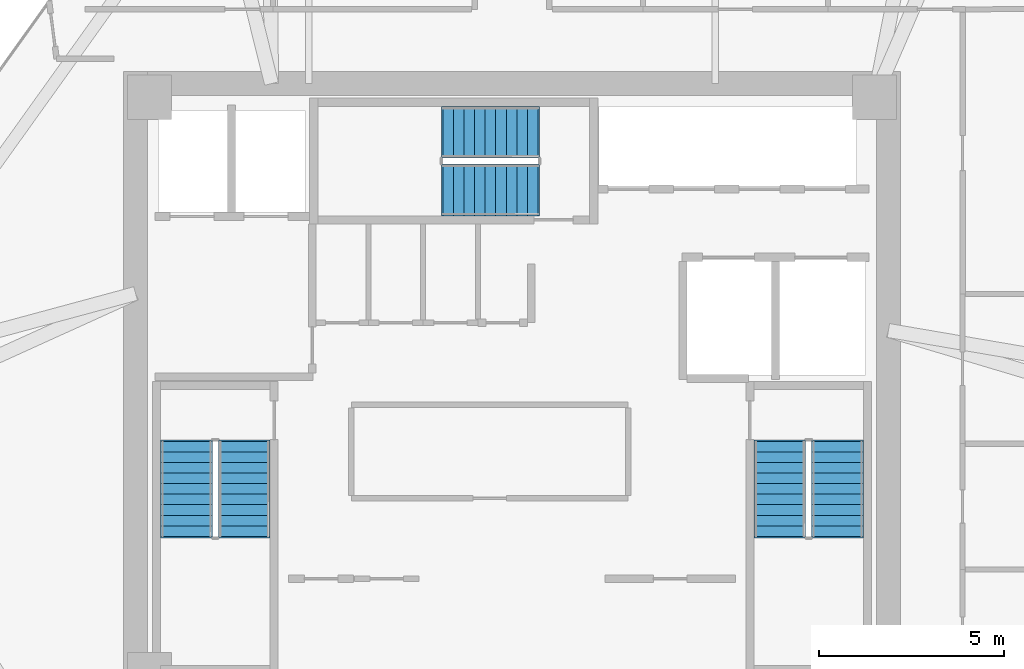
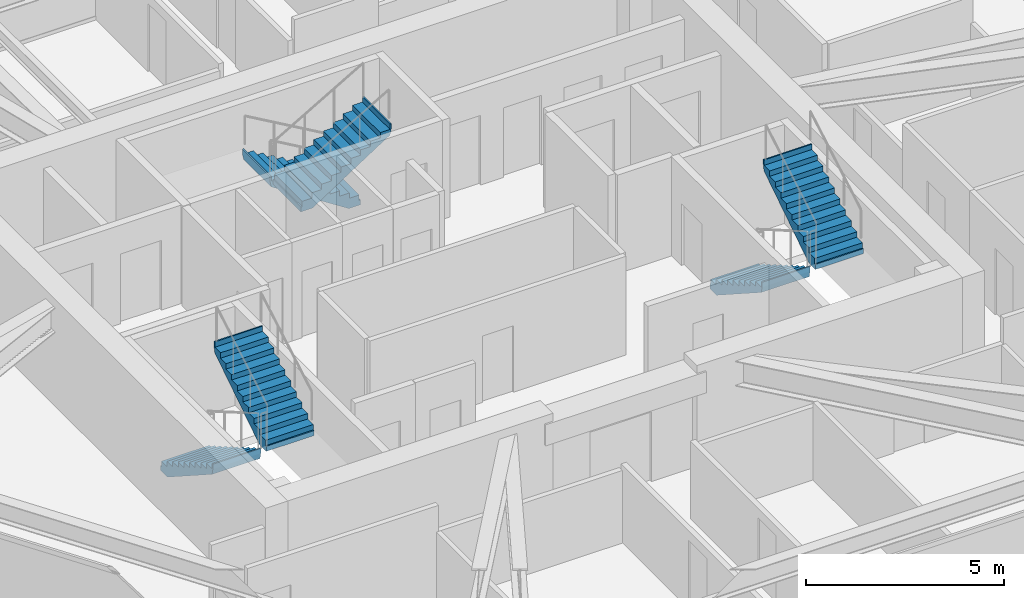
# One storey, part 13 of 14: 6 stair flights, 3 elements without a shape of their own.
"""IFC4 building model written with IfcOpenShell, lengths in metres."""

from ifc_helpers import new_model, si_unit, direction, frame, origin, place, context, subcontext, project, spatial, polyline, outline, extrude, material, type_object, element, aggregate, save


model = new_model("IFC4")

# Units and contexts
model_context = context("Model", 3, precision=1e-05, world=origin(), true_north=direction((0.0, 1.0)))
body_context = subcontext(model_context, "Body", "Model", "MODEL_VIEW")
ifc_project = project(units=[si_unit("LENGTHUNIT", "METRE"), si_unit("AREAUNIT", "SQUARE_METRE"), si_unit("VOLUMEUNIT", "CUBIC_METRE"), si_unit("PLANEANGLEUNIT", "RADIAN"), si_unit("MASSUNIT", "GRAM", prefix="KILO")], contexts=[model_context])

# Site, building, storey
site_placement = place(None, origin())
site = spatial("IfcSite", under=ifc_project, at=site_placement, CompositionType="ELEMENT")
building_placement = place(site_placement, origin())
building = spatial("IfcBuilding", under=site, at=building_placement, Name="Durnholm Broadcast Tower", CompositionType="ELEMENT")
storey_placement = place(building_placement, frame((0.0, 0.0, 180.39990234375)))
storey = spatial("IfcBuildingStorey", under=building, at=storey_placement, Name="L49", CompositionType="ELEMENT", Elevation=180.39990234375)

# Stair, stair flights
ifc_material = material(Name="Concrete C50/60", Category="concrete")
stair_type = type_object("IfcStairType", Name="STAIR-DL-20R1650", PredefinedType="HALF_TURN_STAIR", material=ifc_material)
stair_1_placement = place(storey_placement, origin())
stair_1 = element("IfcStair", 1, at=stair_1_placement, inside=storey, type_object=stair_type, Name="L49 ST-1", PredefinedType="HALF_TURN_STAIR")
stair_flight_type = type_object("IfcStairFlightType", Name="FLIGHT-DL-20R1650", PredefinedType="STRAIGHT", material=ifc_material)
stair_flight_1_placement = place(storey_placement, frame((-8.800048828125, -1.5, 0.0), z_axis=(0.0, 0.0, 1.0), x_axis=(0.0, -1.0, 0.0)))
stair_flight_1 = element("IfcStairFlight", 2, at=stair_flight_1_placement, type_object=stair_flight_type, Name="ST-1 flight 1", NumberOfRisers=10, NumberOfTreads=9, PredefinedType="STRAIGHT", RiserHeight=0.165, TreadLength=0.285, context=body_context, shape_type="SweptSolid", body=[
    extrude(outline(polyline([(-0.0400390625, -0.14990234375), (-0.0400390625, 0.0), (0.0, 0.0), (0.0, 0.1650390625), (0.284912109375, 0.1650390625), (0.284912109375, 0.330078125), (0.570068359375, 0.330078125), (0.570068359375, 0.4951171875), (0.85498046875, 0.4951171875), (0.85498046875, 0.659912109375), (1.139892578125, 0.659912109375), (1.139892578125, 0.824951171875), (1.425048828125, 0.824951171875), (1.425048828125, 0.989990234375), (1.7099609375, 0.989990234375), (1.7099609375, 1.155029296875), (1.9951171875, 1.155029296875), (1.9951171875, 1.320068359375), (2.280029296875, 1.320068359375), (2.280029296875, 1.485107421875), (2.56494140625, 1.485107421875), (2.56494140625, 1.64990234375), (2.60498046875, 1.64990234375), (2.60498046875, 1.5), (2.56494140625, 1.311767578125), (0.299072265625, -0.14990234375), (-0.0400390625, -0.14990234375)])), frame((0.0, 0.699951171875, 0.0), z_axis=(0.0, -1.0, 0.0), x_axis=(1.0, 0.0, 0.0)), (0.0, 0.0, 1.0), 1.39990234375),
])
stair_flight_2_placement = place(storey_placement, frame((-7.239990234375, -4.06494140625, 1.650146484375), z_axis=(0.0, 0.0, 1.0), x_axis=(0.0, 1.0, 0.0)))
stair_flight_2 = element("IfcStairFlight", 3, at=stair_flight_2_placement, type_object=stair_flight_type, Name="ST-1 flight 2", NumberOfRisers=10, NumberOfTreads=9, PredefinedType="STRAIGHT", RiserHeight=0.165, TreadLength=0.285, context=body_context, shape_type="SweptSolid", body=[
    extrude(outline(polyline([(-0.0400390625, -0.14990234375), (-0.0400390625, 0.0), (0.0, 0.0), (0.0, 0.1650390625), (0.284912109375, 0.1650390625), (0.284912109375, 0.330078125), (0.570068359375, 0.330078125), (0.570068359375, 0.4951171875), (0.85498046875, 0.4951171875), (0.85498046875, 0.659912109375), (1.139892578125, 0.659912109375), (1.139892578125, 0.824951171875), (1.425048828125, 0.824951171875), (1.425048828125, 0.989990234375), (1.7099609375, 0.989990234375), (1.7099609375, 1.155029296875), (1.9951171875, 1.155029296875), (1.9951171875, 1.320068359375), (2.280029296875, 1.320068359375), (2.280029296875, 1.485107421875), (2.56494140625, 1.485107421875), (2.56494140625, 1.64990234375), (2.60498046875, 1.64990234375), (2.60498046875, 1.5), (2.56494140625, 1.311767578125), (0.299072265625, -0.14990234375), (-0.0400390625, -0.14990234375)])), frame((0.0, 0.699951171875, 0.0), z_axis=(0.0, -1.0, 0.0), x_axis=(1.0, 0.0, 0.0)), (0.0, 0.0, 1.0), 1.39990234375),
])
aggregate(stair_1, [stair_flight_1, stair_flight_2])

stair_2_placement = place(storey_placement, origin())
stair_2 = element("IfcStair", 4, at=stair_2_placement, inside=storey, type_object=stair_type, Name="L49 ST-2", PredefinedType="HALF_TURN_STAIR")
stair_flight_3_placement = place(storey_placement, frame((7.239990234375, -1.5, 0.0), z_axis=(0.0, 0.0, 1.0), x_axis=(0.0, -1.0, 0.0)))
stair_flight_3 = element("IfcStairFlight", 5, at=stair_flight_3_placement, type_object=stair_flight_type, Name="ST-2 flight 1", NumberOfRisers=10, NumberOfTreads=9, PredefinedType="STRAIGHT", RiserHeight=0.165, TreadLength=0.285, context=body_context, shape_type="SweptSolid", body=[
    extrude(outline(polyline([(-0.0400390625, -0.14990234375), (-0.0400390625, 0.0), (0.0, 0.0), (0.0, 0.1650390625), (0.284912109375, 0.1650390625), (0.284912109375, 0.330078125), (0.570068359375, 0.330078125), (0.570068359375, 0.4951171875), (0.85498046875, 0.4951171875), (0.85498046875, 0.659912109375), (1.139892578125, 0.659912109375), (1.139892578125, 0.824951171875), (1.425048828125, 0.824951171875), (1.425048828125, 0.989990234375), (1.7099609375, 0.989990234375), (1.7099609375, 1.155029296875), (1.9951171875, 1.155029296875), (1.9951171875, 1.320068359375), (2.280029296875, 1.320068359375), (2.280029296875, 1.485107421875), (2.56494140625, 1.485107421875), (2.56494140625, 1.64990234375), (2.60498046875, 1.64990234375), (2.60498046875, 1.5), (2.56494140625, 1.311767578125), (0.299072265625, -0.14990234375), (-0.0400390625, -0.14990234375)])), frame((0.0, 0.699951171875, 0.0), z_axis=(0.0, -1.0, 0.0), x_axis=(1.0, 0.0, 0.0)), (0.0, 0.0, 1.0), 1.39990234375),
])
stair_flight_4_placement = place(storey_placement, frame((8.800048828125, -4.06494140625, 1.650146484375), z_axis=(0.0, 0.0, 1.0), x_axis=(0.0, 1.0, 0.0)))
stair_flight_4 = element("IfcStairFlight", 6, at=stair_flight_4_placement, type_object=stair_flight_type, Name="ST-2 flight 2", NumberOfRisers=10, NumberOfTreads=9, PredefinedType="STRAIGHT", RiserHeight=0.165, TreadLength=0.285, context=body_context, shape_type="SweptSolid", body=[
    extrude(outline(polyline([(-0.0400390625, -0.14990234375), (-0.0400390625, 0.0), (0.0, 0.0), (0.0, 0.1650390625), (0.284912109375, 0.1650390625), (0.284912109375, 0.330078125), (0.570068359375, 0.330078125), (0.570068359375, 0.4951171875), (0.85498046875, 0.4951171875), (0.85498046875, 0.659912109375), (1.139892578125, 0.659912109375), (1.139892578125, 0.824951171875), (1.425048828125, 0.824951171875), (1.425048828125, 0.989990234375), (1.7099609375, 0.989990234375), (1.7099609375, 1.155029296875), (1.9951171875, 1.155029296875), (1.9951171875, 1.320068359375), (2.280029296875, 1.320068359375), (2.280029296875, 1.485107421875), (2.56494140625, 1.485107421875), (2.56494140625, 1.64990234375), (2.60498046875, 1.64990234375), (2.60498046875, 1.5), (2.56494140625, 1.311767578125), (0.299072265625, -0.14990234375), (-0.0400390625, -0.14990234375)])), frame((0.0, 0.699951171875, 0.0), z_axis=(0.0, -1.0, 0.0), x_axis=(1.0, 0.0, 0.0)), (0.0, 0.0, 1.0), 1.39990234375),
])
aggregate(stair_2, [stair_flight_3, stair_flight_4])

stair_3_placement = place(storey_placement, origin())
stair_3 = element("IfcStair", 7, at=stair_3_placement, inside=storey, type_object=stair_type, Name="L49 ST-3", PredefinedType="HALF_TURN_STAIR")
stair_flight_5_placement = place(storey_placement, frame((0.699951171875, 6.860107421875, 0.0), z_axis=(0.0, 0.0, 1.0), x_axis=(-1.0, 0.0, 0.0)))
stair_flight_5 = element("IfcStairFlight", 8, at=stair_flight_5_placement, type_object=stair_flight_type, Name="ST-3 flight 1", NumberOfRisers=10, NumberOfTreads=9, PredefinedType="STRAIGHT", RiserHeight=0.165, TreadLength=0.285, context=body_context, shape_type="SweptSolid", body=[
    extrude(outline(polyline([(-0.0400390625, -0.14990234375), (-0.0400390625, 0.0), (0.0, 0.0), (0.0, 0.1650390625), (0.284912109375, 0.1650390625), (0.284912109375, 0.330078125), (0.570068359375, 0.330078125), (0.570068359375, 0.4951171875), (0.85498046875, 0.4951171875), (0.85498046875, 0.659912109375), (1.139892578125, 0.659912109375), (1.139892578125, 0.824951171875), (1.425048828125, 0.824951171875), (1.425048828125, 0.989990234375), (1.7099609375, 0.989990234375), (1.7099609375, 1.155029296875), (1.9951171875, 1.155029296875), (1.9951171875, 1.320068359375), (2.280029296875, 1.320068359375), (2.280029296875, 1.485107421875), (2.56494140625, 1.485107421875), (2.56494140625, 1.64990234375), (2.60498046875, 1.64990234375), (2.60498046875, 1.5), (2.56494140625, 1.311767578125), (0.299072265625, -0.14990234375), (-0.0400390625, -0.14990234375)])), frame((0.0, 0.699951171875, 0.0), z_axis=(0.0, -1.0, 0.0), x_axis=(1.0, 0.0, 0.0)), (0.0, 0.0, 1.0), 1.39990234375),
])
stair_flight_6_placement = place(storey_placement, frame((-1.864990234375, 5.300048828125, 1.650146484375), z_axis=(0.0, 0.0, 1.0), x_axis=(1.0, 0.0, 0.0)))
stair_flight_6 = element("IfcStairFlight", 9, at=stair_flight_6_placement, type_object=stair_flight_type, Name="ST-3 flight 2", NumberOfRisers=10, NumberOfTreads=9, PredefinedType="STRAIGHT", RiserHeight=0.165, TreadLength=0.285, context=body_context, shape_type="SweptSolid", body=[
    extrude(outline(polyline([(-0.0400390625, -0.14990234375), (-0.0400390625, 0.0), (0.0, 0.0), (0.0, 0.1650390625), (0.284912109375, 0.1650390625), (0.284912109375, 0.330078125), (0.570068359375, 0.330078125), (0.570068359375, 0.4951171875), (0.85498046875, 0.4951171875), (0.85498046875, 0.659912109375), (1.139892578125, 0.659912109375), (1.139892578125, 0.824951171875), (1.425048828125, 0.824951171875), (1.425048828125, 0.989990234375), (1.7099609375, 0.989990234375), (1.7099609375, 1.155029296875), (1.9951171875, 1.155029296875), (1.9951171875, 1.320068359375), (2.280029296875, 1.320068359375), (2.280029296875, 1.485107421875), (2.56494140625, 1.485107421875), (2.56494140625, 1.64990234375), (2.60498046875, 1.64990234375), (2.60498046875, 1.5), (2.56494140625, 1.311767578125), (0.299072265625, -0.14990234375), (-0.0400390625, -0.14990234375)])), frame((0.0, 0.699951171875, 0.0), z_axis=(0.0, -1.0, 0.0), x_axis=(1.0, 0.0, 0.0)), (0.0, 0.0, 1.0), 1.39990234375),
])
aggregate(stair_3, [stair_flight_5, stair_flight_6])

save(model, "model.ifc")
